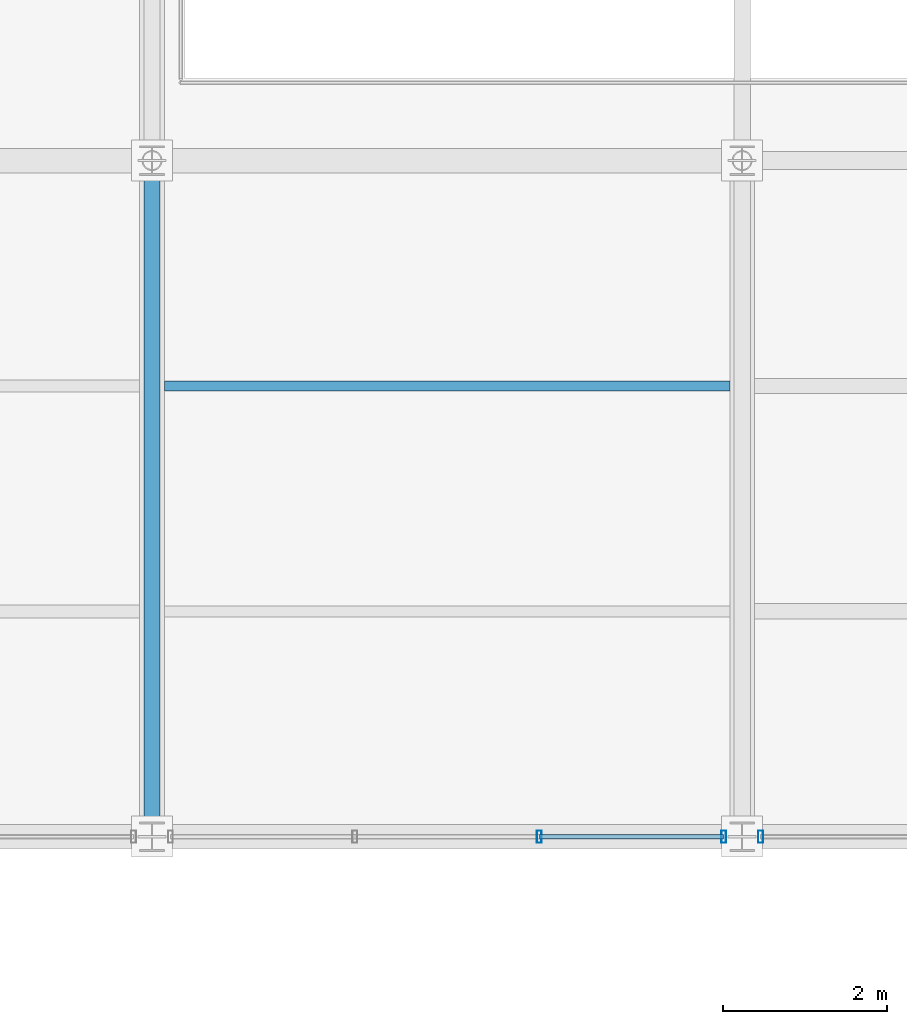
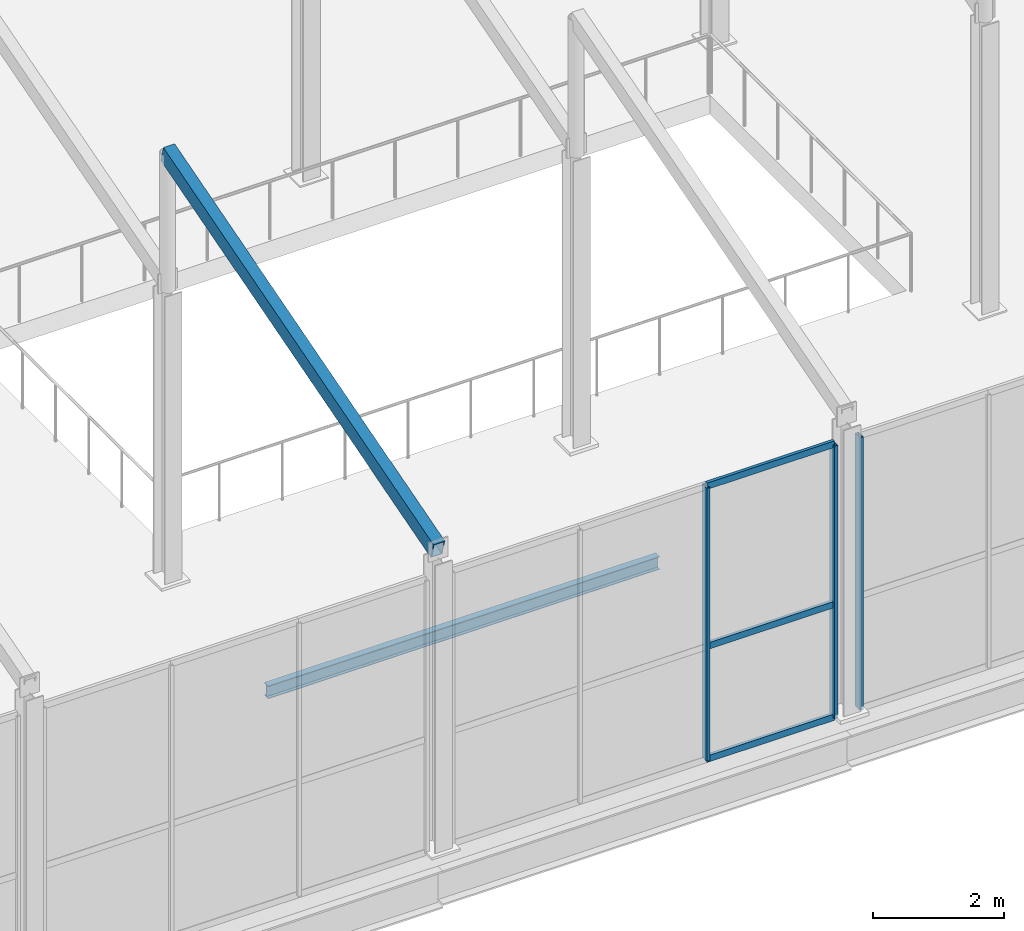
# One storey, part 59 of 141: 7 members, 1 beam, 2 elements without a shape of their own.
"""IFC4 building model written with IfcOpenShell, lengths in metres."""

from ifc_helpers import new_model, si_unit, direction, frame, origin, origin_2d, place, context, subcontext, project, spatial, hollow_rectangle, i_section, extrude, material, layer, layer_set, material_profile, profile_set, type_object, element, aggregate, save


model = new_model("IFC4")

# Units and contexts
model_context = context("Model", 3, precision=1e-05, world=origin(), true_north=direction((0.0, 1.0)))
body_context = subcontext(model_context, "Body", "Model", "MODEL_VIEW")
ifc_project = project(units=[si_unit("LENGTHUNIT", "METRE"), si_unit("AREAUNIT", "SQUARE_METRE"), si_unit("VOLUMEUNIT", "CUBIC_METRE"), si_unit("PLANEANGLEUNIT", "RADIAN"), si_unit("MASSUNIT", "GRAM", prefix="KILO")], contexts=[model_context])

# Site, building, storey
site_placement = place(None, origin())
site = spatial("IfcSite", under=ifc_project, at=site_placement, CompositionType="ELEMENT")
building_placement = place(site_placement, origin())
building = spatial("IfcBuilding", under=site, at=building_placement, Name="Sundgate Opera House", CompositionType="ELEMENT")
storey_placement = place(building_placement, frame((0.0, 0.0, 11.39990234375)))
storey = spatial("IfcBuildingStorey", under=building, at=storey_placement, Name="L02", CompositionType="ELEMENT", Elevation=11.39990234375)

# Beam
ifc_material_1 = material(Name="Steel S355J2", Category="steel")
ifc_material_profile_1 = material_profile(ifc_material_1, i_section(OverallWidth=0.1201171875, OverallDepth=0.239990234375, WebThickness=0.006103515625, FlangeThickness=0.009765625, at=origin_2d()), Name="IPE 240")
ifc_profile_set_1 = profile_set([ifc_material_profile_1], Name="Steel S355J2")
beam_type = type_object("IfcBeamType", Name="BM-JS-IPE240", PredefinedType="JOIST", material=ifc_profile_set_1)
beam_placement = place(storey_placement, frame((131.550048828125, 13.75, -0.469970703125), z_axis=(1.0, 0.0, 0.0), x_axis=(0.0, 1.0, 0.0)))
element("IfcBeam", 1, at=beam_placement, inside=storey, type_object=beam_type, Name="L02 Secondary Floor Joist B2156", PredefinedType="JOIST", context=body_context, shape_type="SweptSolid", body=[
    extrude(i_section(OverallWidth=0.1201171875, OverallDepth=0.239990234375, WebThickness=0.006103515625, FlangeThickness=0.009765625, at=origin_2d()), origin(), (0.0, 0.0, 1.0), 6.89990234375),
])

# Curtain wall, members
ifc_material_2 = material(Name="Anodized aluminium and low-iron glass", Category="aluminium")
ifc_layer = layer(ifc_material_2, 0.14990234375)
ifc_layer_set = layer_set([ifc_layer], Name="Anodized aluminium and low-iron glass")
curtain_wall_type = type_object("IfcCurtainWallType", Name="CW-WORKSHOP-DARK", PredefinedType="NOTDEFINED", material=ifc_layer_set)
curtain_wall_1_placement = place(storey_placement, origin())
curtain_wall_1 = element("IfcCurtainWall", 2, at=curtain_wall_1_placement, inside=storey, type_object=curtain_wall_type, Name="L02 Curtain Wall CW159", PredefinedType="NOTDEFINED")
ifc_material_3 = material(Name="Anodized aluminium EN AW-6063", Category="aluminium")
ifc_material_profile_2 = material_profile(ifc_material_3, hollow_rectangle(XDim=0.06005859375, YDim=0.14990234375, WallThickness=0.00390625, at=origin_2d()), Name="CWM 150x60x4")
ifc_profile_set_2 = profile_set([ifc_material_profile_2], Name="Anodized aluminium EN AW-6063")
member_type_1 = type_object("IfcMemberType", Name="CWM-ALU-150x60", PredefinedType="MULLION", material=ifc_profile_set_2)
member_1_placement = place(storey_placement, frame((138.375, 8.25, 0.0), z_axis=(0.0, 0.0, 1.0), x_axis=(1.0, 0.0, 0.0)))
member_1 = element("IfcMember", 3, at=member_1_placement, type_object=member_type_1, Name="CW159 Mullion 1", PredefinedType="MULLION", context=body_context, shape_type="SweptSolid", body=[
    extrude(hollow_rectangle(XDim=0.06005859375, YDim=0.14990234375, WallThickness=0.00390625, at=origin_2d()), origin(), (0.0, 0.0, 1.0), 5.085205078125),
])
member_2_placement = place(storey_placement, frame((136.125, 8.25, 0.0), z_axis=(0.0, 0.0, 1.0), x_axis=(1.0, 0.0, 0.0)))
member_2 = element("IfcMember", 4, at=member_2_placement, type_object=member_type_1, Name="CW159 Mullion 2", PredefinedType="MULLION", context=body_context, shape_type="SweptSolid", body=[
    extrude(hollow_rectangle(XDim=0.06005859375, YDim=0.14990234375, WallThickness=0.00390625, at=origin_2d()), origin(), (0.0, 0.0, 1.0), 5.085205078125),
])

# Curtain wall, member
curtain_wall_2_placement = place(storey_placement, origin())
curtain_wall_2 = element("IfcCurtainWall", 5, at=curtain_wall_2_placement, inside=storey, type_object=curtain_wall_type, Name="L02 Curtain Wall CW160", PredefinedType="NOTDEFINED")
member_3_placement = place(storey_placement, frame((138.824951171875, 8.25, 0.0), z_axis=(0.0, 0.0, 1.0), x_axis=(1.0, 0.0, 0.0)))
member_3 = element("IfcMember", 6, at=member_3_placement, type_object=member_type_1, Name="CW160 Mullion 4", PredefinedType="MULLION", context=body_context, shape_type="SweptSolid", body=[
    extrude(hollow_rectangle(XDim=0.06005859375, YDim=0.14990234375, WallThickness=0.00390625, at=origin_2d()), origin(), (0.0, 0.0, 1.0), 5.085205078125),
])
aggregate(curtain_wall_2, [member_3])

# Member
ifc_material_4 = material(Name="Anodized aluminium EN AW-6063", Category="aluminium")
ifc_material_profile_3 = material_profile(ifc_material_4, hollow_rectangle(XDim=0.054931640625, YDim=0.1201171875, WallThickness=0.00390625, at=origin_2d()), Name="CWT 120x55x4")
ifc_profile_set_3 = profile_set([ifc_material_profile_3], Name="Anodized aluminium EN AW-6063")
member_type_2 = type_object("IfcMemberType", Name="CWT-ALU-120x55", PredefinedType="USERDEFINED", material=ifc_profile_set_3)
member_4_placement = place(storey_placement, frame((138.375, 8.25, 0.0), z_axis=(-1.0, 0.0, 0.0), x_axis=(0.0, -1.0, 0.0)))
member_4 = element("IfcMember", 7, at=member_4_placement, type_object=member_type_2, Name="CW159 Transom 1", ObjectType="TRANSOM", PredefinedType="USERDEFINED", context=body_context, shape_type="SweptSolid", body=[
    extrude(hollow_rectangle(XDim=0.054931640625, YDim=0.1201171875, WallThickness=0.00390625, at=origin_2d()), origin(), (0.0, 0.0, 1.0), 2.25),
])

member_5_placement = place(storey_placement, frame((138.375, 8.25, 2.10009765625), z_axis=(-1.0, 0.0, 0.0), x_axis=(0.0, -1.0, 0.0)))
member_5 = element("IfcMember", 8, at=member_5_placement, type_object=member_type_2, Name="CW159 Transom 2", ObjectType="TRANSOM", PredefinedType="USERDEFINED", context=body_context, shape_type="SweptSolid", body=[
    extrude(hollow_rectangle(XDim=0.054931640625, YDim=0.1201171875, WallThickness=0.00390625, at=origin_2d()), origin(), (0.0, 0.0, 1.0), 2.25),
])

member_6_placement = place(storey_placement, frame((138.375, 8.25, 5.085205078125), z_axis=(-1.0, 0.0, 0.0), x_axis=(0.0, -1.0, 0.0)))
member_6 = element("IfcMember", 9, at=member_6_placement, type_object=member_type_2, Name="CW159 Transom 3", ObjectType="TRANSOM", PredefinedType="USERDEFINED", context=body_context, shape_type="SweptSolid", body=[
    extrude(hollow_rectangle(XDim=0.054931640625, YDim=0.1201171875, WallThickness=0.00390625, at=origin_2d()), origin(), (0.0, 0.0, 1.0), 2.25),
])

aggregate(curtain_wall_1, [member_1, member_2, member_4, member_5, member_6])

ifc_material_5 = material(Name="Steel S355J2", Category="steel")
ifc_material_profile_4 = material_profile(ifc_material_5, hollow_rectangle(XDim=0.199951171875, YDim=0.300048828125, WallThickness=0.012451171875, at=origin_2d()), Name="RHS 300x200x12.5")
ifc_profile_set_4 = profile_set([ifc_material_profile_4], Name="Steel S355J2")
member_type_3 = type_object("IfcMemberType", Name="MB-CHORD-RHS300", PredefinedType="CHORD", material=ifc_profile_set_4)
member_7_placement = place(storey_placement, frame((131.39990234375, 8.25, 5.550048828125), z_axis=(0.0, 0.96019072379, 0.279345259398), x_axis=(-1.0, 0.0, 0.0)))
element("IfcMember", 10, at=member_7_placement, inside=storey, type_object=member_type_3, Name="L02 Sawtooth Rafter M0391", PredefinedType="CHORD", context=body_context, shape_type="SweptSolid", body=[
    extrude(hollow_rectangle(XDim=0.199951171875, YDim=0.300048828125, WallThickness=0.012451171875, at=origin_2d()), origin(), (0.0, 0.0, 1.0), 8.592041015625),
])

save(model, "model.ifc")
